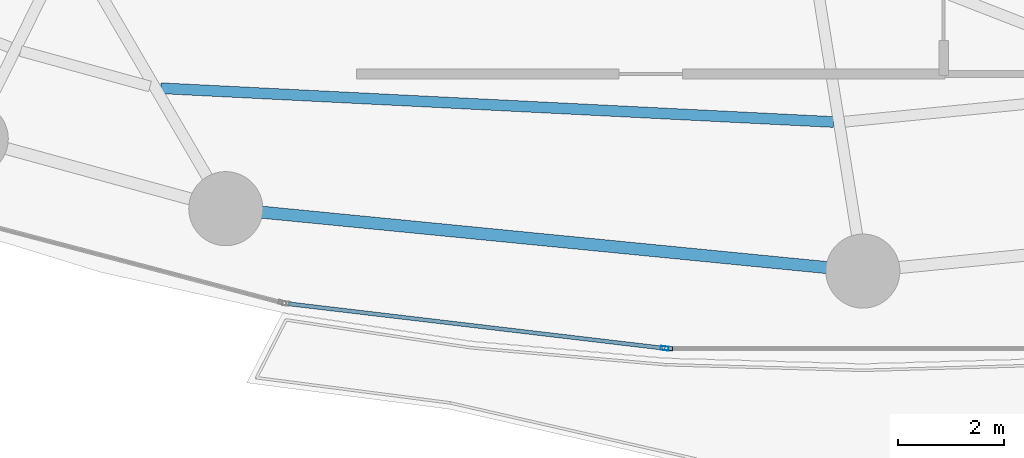
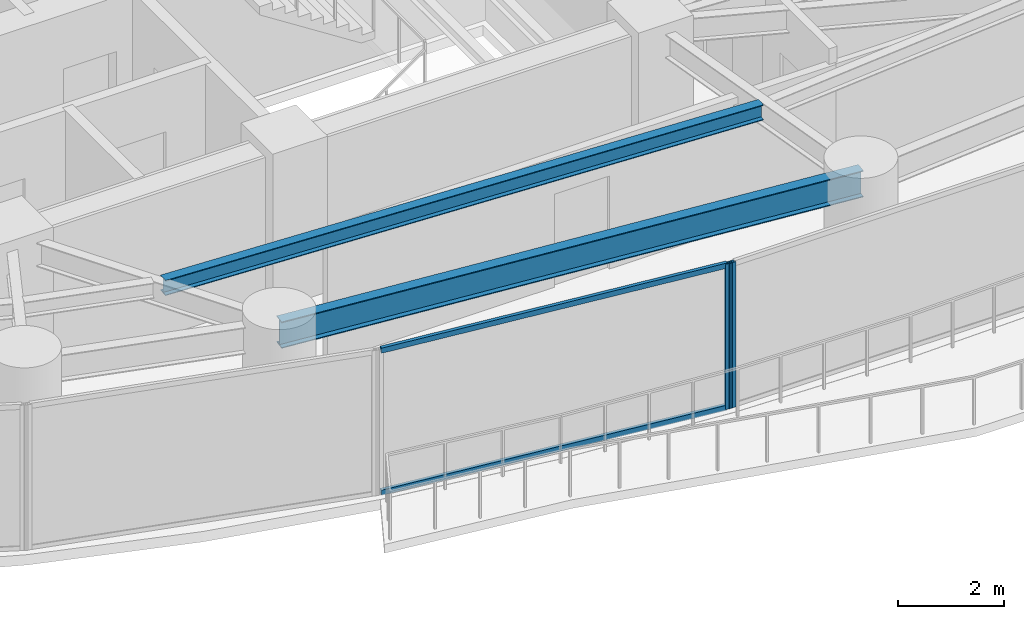
# One storey, part 6 of 32: 4 members, 2 beams, 2 elements without a shape of their own.
"""IFC4 building model written with IfcOpenShell, lengths in metres."""

from ifc_helpers import new_model, si_unit, direction, frame, origin, origin_2d, place, context, subcontext, project, spatial, hollow_rectangle, i_section, extrude, material, layer, layer_set, material_profile, profile_set, type_object, element, aggregate, save


model = new_model("IFC4")

# Units and contexts
model_context = context("Model", 3, precision=1e-05, world=origin(), true_north=direction((0.0, 1.0)))
body_context = subcontext(model_context, "Body", "Model", "MODEL_VIEW")
ifc_project = project(units=[si_unit("LENGTHUNIT", "METRE"), si_unit("AREAUNIT", "SQUARE_METRE"), si_unit("VOLUMEUNIT", "CUBIC_METRE"), si_unit("PLANEANGLEUNIT", "RADIAN"), si_unit("MASSUNIT", "GRAM", prefix="KILO")], contexts=[model_context])

# Site, building, storey
site_placement = place(None, origin())
site = spatial("IfcSite", under=ifc_project, at=site_placement, CompositionType="ELEMENT")
building_placement = place(site_placement, origin())
building = spatial("IfcBuilding", under=site, at=building_placement, Name="Kazevale Care Tower and Concert Hall", CompositionType="ELEMENT")
storey_placement = place(building_placement, frame((0.0, 0.0, 85.199951171875)))
storey = spatial("IfcBuildingStorey", under=building, at=storey_placement, Name="L22", CompositionType="ELEMENT", Elevation=85.199951171875)

# Curtain wall, member
ifc_material_1 = material(Name="Aluminium 6063-T6 and Low-E Glass", Category="aluminium")
ifc_layer = layer(ifc_material_1, 0.179931640625)
ifc_layer_set = layer_set([ifc_layer], Name="Aluminium 6063-T6 and Low-E Glass")
curtain_wall_type = type_object("IfcCurtainWallType", Name="Sheltered Concave Balcony Curtain Wall CW-5", PredefinedType="NOTDEFINED", material=ifc_layer_set)
curtain_wall_1_placement = place(storey_placement, origin())
curtain_wall_1 = element("IfcCurtainWall", 1, at=curtain_wall_1_placement, inside=storey, type_object=curtain_wall_type, Name="cw:L22:f06", PredefinedType="NOTDEFINED")
ifc_material_2 = material(Name="Aluminium 6063-T6", Category="aluminium")
ifc_material_profile_1 = material_profile(ifc_material_2, hollow_rectangle(XDim=0.074951171875, YDim=0.14990234375, WallThickness=0.00390625, at=origin_2d()), Name="ALU75x150x4")
ifc_profile_set_1 = profile_set([ifc_material_profile_1], Name="Aluminium 6063-T6")
member_type_1 = type_object("IfcMemberType", Name="CW-5 Mullion ALU75x150x4", PredefinedType="MULLION", material=ifc_profile_set_1)
member_1_placement = place(storey_placement, frame((41.33056640625, 15.885986328125, 0.0), z_axis=(0.0, 0.0, 1.0), x_axis=(0.0, -1.0, 0.0)))
member_1 = element("IfcMember", 2, at=member_1_placement, type_object=member_type_1, Name="CW-5 mullion 2", PredefinedType="MULLION", context=body_context, shape_type="SweptSolid", body=[
    extrude(hollow_rectangle(XDim=0.074951171875, YDim=0.14990234375, WallThickness=0.00390625, at=origin_2d()), origin(), (0.0, 0.0, 1.0), 3.360107421875),
])
aggregate(curtain_wall_1, [member_1])

# Curtain wall, members
curtain_wall_2_placement = place(storey_placement, origin())
curtain_wall_2 = element("IfcCurtainWall", 3, at=curtain_wall_2_placement, inside=storey, type_object=curtain_wall_type, Name="cw:L22:f07", PredefinedType="NOTDEFINED")
member_2_placement = place(storey_placement, frame((41.255859375, 15.890380859375, 0.0), z_axis=(0.0, 0.0, 1.0), x_axis=(-0.117519084253, -0.993070624294, 0.0)))
member_2 = element("IfcMember", 4, at=member_2_placement, type_object=member_type_1, Name="CW-5 mullion 1", PredefinedType="MULLION", context=body_context, shape_type="SweptSolid", body=[
    extrude(hollow_rectangle(XDim=0.074951171875, YDim=0.14990234375, WallThickness=0.00390625, at=origin_2d()), origin(), (0.0, 0.0, 1.0), 3.360107421875),
])
ifc_material_profile_2 = material_profile(ifc_material_2, hollow_rectangle(XDim=0.074951171875, YDim=0.1201171875, WallThickness=0.00390625, at=origin_2d()), Name="ALU75x120x4")
ifc_profile_set_2 = profile_set([ifc_material_profile_2], Name="Aluminium 6063-T6")
member_type_2 = type_object("IfcMemberType", Name="CW-5 Transom ALU75x120x4", PredefinedType="USERDEFINED", material=ifc_profile_set_2)
member_3_placement = place(storey_placement, frame((41.218505859375, 15.894775390625, 0.03759765625), z_axis=(-0.993069913078, 0.117525094085, 0.0), x_axis=(-0.117525094085, -0.993069913078, 0.0)))
member_3 = element("IfcMember", 5, at=member_3_placement, type_object=member_type_2, Name="CW-5 transom 1.1", ObjectType="TRANSOM", PredefinedType="USERDEFINED", context=body_context, shape_type="SweptSolid", body=[
    extrude(hollow_rectangle(XDim=0.074951171875, YDim=0.1201171875, WallThickness=0.00390625, at=origin_2d()), origin(), (0.0, 0.0, 1.0), 7.125244140625),
])
member_4_placement = place(storey_placement, frame((41.218505859375, 15.894775390625, 3.322509765625), z_axis=(-0.993069913078, 0.117525094085, 0.0), x_axis=(-0.117525094085, -0.993069913078, 0.0)))
member_4 = element("IfcMember", 6, at=member_4_placement, type_object=member_type_2, Name="CW-5 transom 1.2", ObjectType="TRANSOM", PredefinedType="USERDEFINED", context=body_context, shape_type="SweptSolid", body=[
    extrude(hollow_rectangle(XDim=0.074951171875, YDim=0.1201171875, WallThickness=0.00390625, at=origin_2d()), origin(), (0.0, 0.0, 1.0), 7.125244140625),
])
aggregate(curtain_wall_2, [member_2, member_3, member_4])

# Beams
ifc_material_3 = material(Name="Steel ASTM A572 Gr 50", Category="steel")
ifc_material_profile_3 = material_profile(ifc_material_3, i_section(OverallWidth=0.22900390625, OverallDepth=0.612060546875, WebThickness=0.011962890625, FlangeThickness=0.01953125, at=origin_2d()), Name="W610x125")
ifc_profile_set_3 = profile_set([ifc_material_profile_3], Name="Steel ASTM A572 Gr 50")
beam_type_1 = type_object("IfcBeamType", Name="Ring Spandrel Beam W610x125", PredefinedType="SPANDREL", material=ifc_profile_set_3)
beam_1_placement = place(storey_placement, frame((32.9599609375, 18.530029296875, 3.053955078125), z_axis=(0.995232251602, -0.09753340644, 0.0), x_axis=(0.09753340644, 0.995232251602, 0.0)))
element("IfcBeam", 7, at=beam_1_placement, inside=storey, type_object=beam_type_1, Name="beam:L22:ring:12", PredefinedType="SPANDREL", context=body_context, shape_type="SweptSolid", body=[
    extrude(i_section(OverallWidth=0.22900390625, OverallDepth=0.612060546875, WebThickness=0.011962890625, FlangeThickness=0.01953125, at=origin_2d()), origin(), (0.0, 0.0, 1.0), 12.09765625),
])
ifc_material_profile_4 = material_profile(ifc_material_3, i_section(OverallWidth=0.205078125, OverallDepth=0.35400390625, WebThickness=0.009521484375, FlangeThickness=0.016845703125, at=origin_2d()), Name="W360x79")
ifc_profile_set_4 = profile_set([ifc_material_profile_4], Name="Steel ASTM A572 Gr 50")
beam_type_2 = type_object("IfcBeamType", Name="Secondary Floor Joist W360x79", PredefinedType="JOIST", material=ifc_profile_set_4)
beam_2_placement = place(storey_placement, frame((31.73291015625, 20.805908203125, 3.18310546875), z_axis=(0.998743186005, -0.050120339262, 0.0), x_axis=(0.050120339262, 0.998743186005, 0.0)))
element("IfcBeam", 8, at=beam_2_placement, inside=storey, type_object=beam_type_2, Name="beam:L22:joist:12", PredefinedType="JOIST", context=body_context, shape_type="SweptSolid", body=[
    extrude(i_section(OverallWidth=0.205078125, OverallDepth=0.35400390625, WebThickness=0.009521484375, FlangeThickness=0.016845703125, at=origin_2d()), origin(), (0.0, 0.0, 1.0), 12.728271484375),
])

save(model, "model.ifc")
